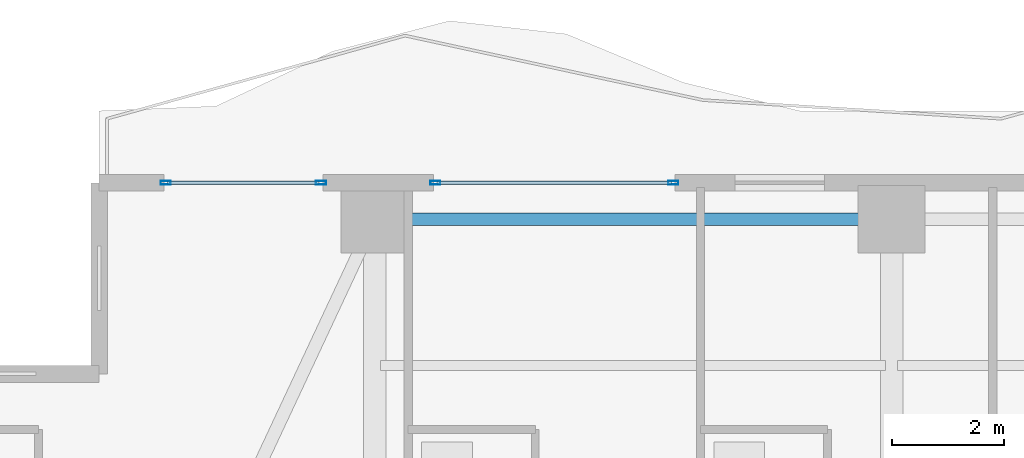
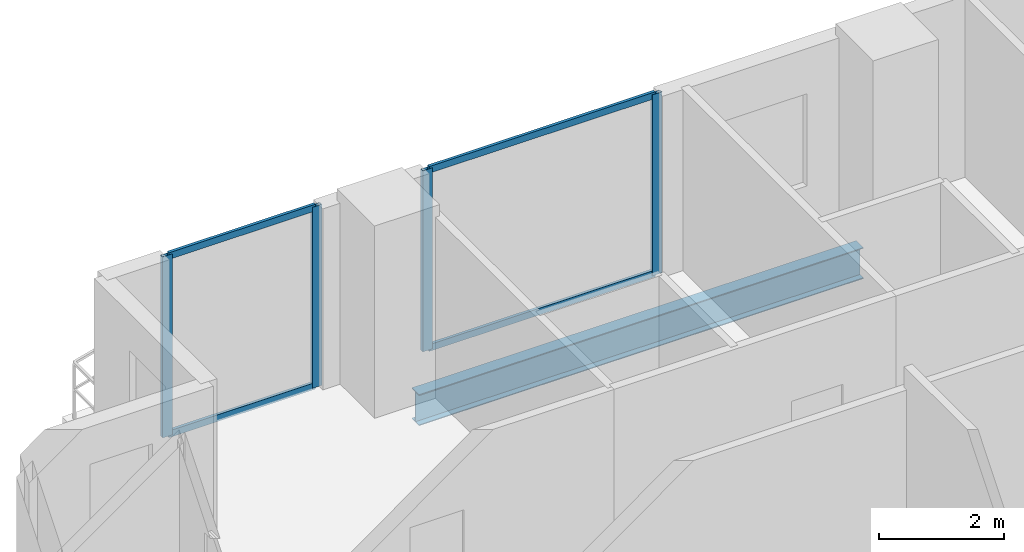
# One storey, part 19 of 33: 8 members, 1 beam, 2 elements without a shape of their own.
"""IFC4 building model written with IfcOpenShell, lengths in metres."""

from ifc_helpers import new_model, si_unit, direction, frame, origin, origin_2d, place, context, subcontext, project, spatial, hollow_rectangle, i_section, extrude, material, layer, layer_set, material_profile, profile_set, type_object, element, aggregate, save


model = new_model("IFC4")

# Units and contexts
model_context = context("Model", 3, precision=1e-05, world=origin(), true_north=direction((0.0, 1.0)))
body_context = subcontext(model_context, "Body", "Model", "MODEL_VIEW")
ifc_project = project(units=[si_unit("LENGTHUNIT", "METRE"), si_unit("AREAUNIT", "SQUARE_METRE"), si_unit("VOLUMEUNIT", "CUBIC_METRE"), si_unit("PLANEANGLEUNIT", "RADIAN"), si_unit("MASSUNIT", "GRAM", prefix="KILO")], contexts=[model_context])

# Site, building, storey
site_placement = place(None, origin())
site = spatial("IfcSite", under=ifc_project, at=site_placement, CompositionType="ELEMENT")
building_placement = place(site_placement, origin())
building = spatial("IfcBuilding", under=site, at=building_placement, Name="Zuhayl Quay Hotel", CompositionType="ELEMENT")
storey_placement = place(building_placement, frame((0.0, 0.0, 199.89990234375)))
storey = spatial("IfcBuildingStorey", under=building, at=storey_placement, Name="L50", CompositionType="ELEMENT", Elevation=199.89990234375)

# Beam
ifc_material_1 = material(Name="Steel ASTM A992 Grade 50", Category="steel")
ifc_material_profile_1 = material_profile(ifc_material_1, i_section(OverallWidth=0.22802734375, OverallDepth=0.60693359375, WebThickness=0.01123046875, FlangeThickness=0.017333984375, at=origin_2d()), Name="W24X76")
ifc_profile_set_1 = profile_set([ifc_material_profile_1], Name="Steel ASTM A992 Grade 50")
beam_type = type_object("IfcBeamType", Name="BM_B3_W24X76", PredefinedType="BEAM", material=ifc_profile_set_1)
beam_placement = place(storey_placement, frame((-5.10009765625, 32.949951171875, -0.5234375), z_axis=(-1.0, 0.0, 0.0), x_axis=(0.0, -1.0, 0.0)))
element("IfcBeam", 1, at=beam_placement, inside=storey, type_object=beam_type, Name="L50 Floor Beam RG_L50_09", PredefinedType="BEAM", context=body_context, shape_type="SweptSolid", body=[
    extrude(i_section(OverallWidth=0.22802734375, OverallDepth=0.60693359375, WebThickness=0.01123046875, FlangeThickness=0.017333984375, at=origin_2d()), origin(), (0.0, 0.0, 1.0), 8.199951171875),
])

# Curtain wall, members
ifc_material_2 = material(Name="Anodised Aluminium 6063-T6", Category="aluminium")
ifc_layer = layer(ifc_material_2, 0.175048828125, Name="Anodised Aluminium 6063-T6", Category="aluminium")
ifc_layer_set = layer_set([ifc_layer], Name="Anodised Aluminium 6063-T6")
curtain_wall_type = type_object("IfcCurtainWallType", Name="CW_SYS_Z3", PredefinedType="USERDEFINED", material=ifc_layer_set)
curtain_wall_1_placement = place(storey_placement, origin())
curtain_wall_1 = element("IfcCurtainWall", 2, at=curtain_wall_1_placement, inside=storey, type_object=curtain_wall_type, Name="L50 Curtain Wall ENV_L50_N_CW1", ObjectType="UNITISED CURTAIN WALL", PredefinedType="USERDEFINED")
ifc_material_3 = material(Name="Black-anodised aluminium 6063-T6", Category="aluminium")
ifc_material_profile_2 = material_profile(ifc_material_3, hollow_rectangle(XDim=0.06494140625, YDim=0.179931640625, WallThickness=0.00341796875, at=origin_2d()), Name="ALU180X65")
ifc_profile_set_2 = profile_set([ifc_material_profile_2], Name="Black-anodised aluminium 6063-T6")
member_type_1 = type_object("IfcMemberType", Name="MB_CW_MUL_180", PredefinedType="MULLION", material=ifc_profile_set_2)
member_1_placement = place(storey_placement, frame((-17.517578125, 33.60009765625, 0.0), z_axis=(0.0, 0.0, 1.0), x_axis=(0.0, 1.0, 0.0)))
member_1 = element("IfcMember", 3, at=member_1_placement, type_object=member_type_1, Name="CW-Z3 mullion 1", PredefinedType="MULLION", context=body_context, shape_type="SweptSolid", body=[
    extrude(hollow_rectangle(XDim=0.06494140625, YDim=0.179931640625, WallThickness=0.00341796875, at=origin_2d()), origin(), (0.0, 0.0, 1.0), 3.530029296875),
])
member_2_placement = place(storey_placement, frame((-14.75244140625, 33.60009765625, 0.0), z_axis=(0.0, 0.0, 1.0), x_axis=(0.0, 1.0, 0.0)))
member_2 = element("IfcMember", 4, at=member_2_placement, type_object=member_type_1, Name="CW-Z3 mullion 2", PredefinedType="MULLION", context=body_context, shape_type="SweptSolid", body=[
    extrude(hollow_rectangle(XDim=0.06494140625, YDim=0.179931640625, WallThickness=0.00341796875, at=origin_2d()), origin(), (0.0, 0.0, 1.0), 3.530029296875),
])

curtain_wall_2_placement = place(storey_placement, origin())
curtain_wall_2 = element("IfcCurtainWall", 5, at=curtain_wall_2_placement, inside=storey, type_object=curtain_wall_type, Name="L50 Curtain Wall ENV_L50_N_CW2", ObjectType="UNITISED CURTAIN WALL", PredefinedType="USERDEFINED")
member_3_placement = place(storey_placement, frame((-12.717529296875, 33.60009765625, 0.0), z_axis=(0.0, 0.0, 1.0), x_axis=(0.0, 1.0, 0.0)))
member_3 = element("IfcMember", 6, at=member_3_placement, type_object=member_type_1, Name="CW-Z3 mullion 1", PredefinedType="MULLION", context=body_context, shape_type="SweptSolid", body=[
    extrude(hollow_rectangle(XDim=0.06494140625, YDim=0.179931640625, WallThickness=0.00341796875, at=origin_2d()), origin(), (0.0, 0.0, 1.0), 3.530029296875),
])
member_4_placement = place(storey_placement, frame((-8.482421875, 33.60009765625, 0.0), z_axis=(0.0, 0.0, 1.0), x_axis=(0.0, 1.0, 0.0)))
member_4 = element("IfcMember", 7, at=member_4_placement, type_object=member_type_1, Name="CW-Z3 mullion 2", PredefinedType="MULLION", context=body_context, shape_type="SweptSolid", body=[
    extrude(hollow_rectangle(XDim=0.06494140625, YDim=0.179931640625, WallThickness=0.00341796875, at=origin_2d()), origin(), (0.0, 0.0, 1.0), 3.530029296875),
])

# Member
ifc_material_profile_3 = material_profile(ifc_material_3, hollow_rectangle(XDim=0.054931640625, YDim=0.1298828125, WallThickness=0.0029296875, at=origin_2d()), Name="ALU130X55")
ifc_profile_set_3 = profile_set([ifc_material_profile_3], Name="Black-anodised aluminium 6063-T6")
member_type_2 = type_object("IfcMemberType", Name="MB_CW_TRN_130", PredefinedType="USERDEFINED", material=ifc_profile_set_3)
member_5_placement = place(storey_placement, frame((-17.485107421875, 33.60009765625, 0.027587890625), z_axis=(1.0, 0.0, 0.0), x_axis=(0.0, 1.0, 0.0)))
member_5 = element("IfcMember", 8, at=member_5_placement, type_object=member_type_2, Name="CW-Z3 transom 1.1", ObjectType="TRANSOM", PredefinedType="USERDEFINED", context=body_context, shape_type="SweptSolid", body=[
    extrude(hollow_rectangle(XDim=0.054931640625, YDim=0.1298828125, WallThickness=0.0029296875, at=origin_2d()), origin(), (0.0, 0.0, 1.0), 2.7001953125),
])

member_6_placement = place(storey_placement, frame((-17.485107421875, 33.60009765625, 3.502685546875), z_axis=(1.0, 0.0, 0.0), x_axis=(0.0, 1.0, 0.0)))
member_6 = element("IfcMember", 9, at=member_6_placement, type_object=member_type_2, Name="CW-Z3 transom 1.2", ObjectType="TRANSOM", PredefinedType="USERDEFINED", context=body_context, shape_type="SweptSolid", body=[
    extrude(hollow_rectangle(XDim=0.054931640625, YDim=0.1298828125, WallThickness=0.0029296875, at=origin_2d()), origin(), (0.0, 0.0, 1.0), 2.7001953125),
])

aggregate(curtain_wall_1, [member_1, member_2, member_5, member_6])

member_7_placement = place(storey_placement, frame((-12.68505859375, 33.60009765625, 0.027587890625), z_axis=(1.0, 0.0, 0.0), x_axis=(0.0, 1.0, 0.0)))
member_7 = element("IfcMember", 10, at=member_7_placement, type_object=member_type_2, Name="CW-Z3 transom 1.1", ObjectType="TRANSOM", PredefinedType="USERDEFINED", context=body_context, shape_type="SweptSolid", body=[
    extrude(hollow_rectangle(XDim=0.054931640625, YDim=0.1298828125, WallThickness=0.0029296875, at=origin_2d()), origin(), (0.0, 0.0, 1.0), 4.170166015625),
])

member_8_placement = place(storey_placement, frame((-12.68505859375, 33.60009765625, 3.502685546875), z_axis=(1.0, 0.0, 0.0), x_axis=(0.0, 1.0, 0.0)))
member_8 = element("IfcMember", 11, at=member_8_placement, type_object=member_type_2, Name="CW-Z3 transom 1.2", ObjectType="TRANSOM", PredefinedType="USERDEFINED", context=body_context, shape_type="SweptSolid", body=[
    extrude(hollow_rectangle(XDim=0.054931640625, YDim=0.1298828125, WallThickness=0.0029296875, at=origin_2d()), origin(), (0.0, 0.0, 1.0), 4.170166015625),
])

aggregate(curtain_wall_2, [member_3, member_4, member_7, member_8])

save(model, "model.ifc")
